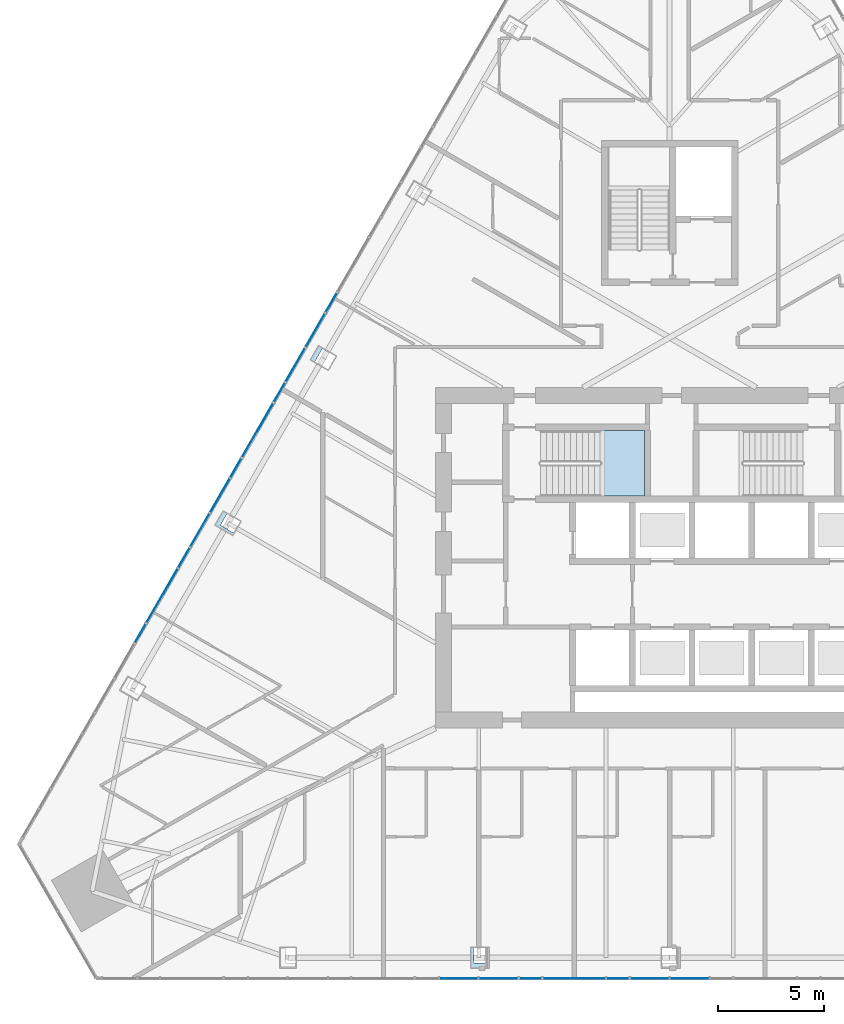
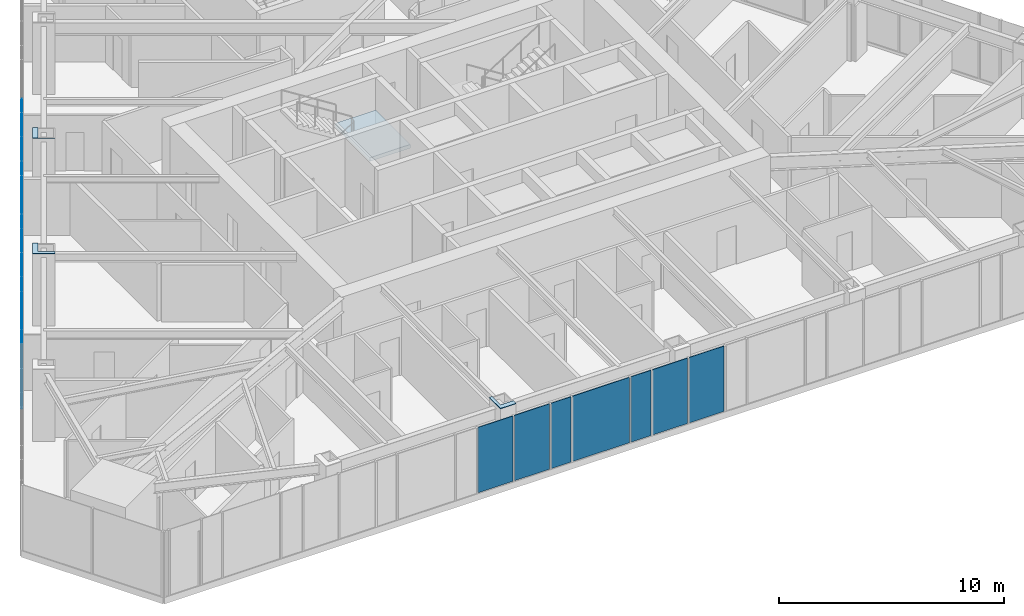
# One storey, part 14 of 26: 21 plates, 1 slab, 3 elements without a shape of their own.
"""IFC4 building model written with IfcOpenShell, lengths in metres."""

from ifc_helpers import new_model, si_unit, direction, frame, origin, place, context, subcontext, project, spatial, polyline, outline, extrude, material, layer, layer_set, type_object, element, aggregate, save


model = new_model("IFC4")

# Units and contexts
model_context = context("Model", 3, precision=1e-05, world=origin(), true_north=direction((0.0, 1.0)))
body_context = subcontext(model_context, "Body", "Model", "MODEL_VIEW")
ifc_project = project(units=[si_unit("LENGTHUNIT", "METRE"), si_unit("AREAUNIT", "SQUARE_METRE"), si_unit("VOLUMEUNIT", "CUBIC_METRE"), si_unit("PLANEANGLEUNIT", "RADIAN"), si_unit("MASSUNIT", "GRAM", prefix="KILO")], contexts=[model_context])

# Site, building, storey
site_placement = place(None, origin())
site = spatial("IfcSite", under=ifc_project, at=site_placement, CompositionType="ELEMENT")
building_placement = place(site_placement, origin())
building = spatial("IfcBuilding", under=site, at=building_placement, Name="Firuza Gate Tower and Library", CompositionType="ELEMENT")
storey_placement = place(building_placement, frame((0.0, 0.0, 175.300048828125)))
storey = spatial("IfcBuildingStorey", under=building, at=storey_placement, Name="L40", CompositionType="ELEMENT", Elevation=175.300048828125)

# Plates
ifc_material_1 = material(Name="Steel S355", Category="steel")
ifc_layer_1 = layer(ifc_material_1, 0.030029296875)
ifc_layer_set_1 = layer_set([ifc_layer_1], Name="Column infill plate 30 Steel S355")
plate_type_1 = type_object("IfcPlateType", Name="Column infill plate 30 Steel S355", PredefinedType="SHEET", material=ifc_layer_set_1)
placement_1 = place(storey_placement, frame((0.0, 0.0, 3.89990234375)))
element("IfcPlate", 1, at=placement_1, inside=storey, type_object=plate_type_1, Name="Infill plate L40:S2", PredefinedType="SHEET", context=body_context, shape_type="SweptSolid", body=[
    extrude(outline(polyline([(66.43798828125, 55.720458984375), (66.43798828125, 55.959716796875), (65.776123046875, 55.959716796875), (65.776123046875, 56.720458984375), (65.63818359375, 56.720458984375), (65.63818359375, 55.720458984375), (66.43798828125, 55.720458984375)])), origin(), (0.0, 0.0, 1.0), 0.030029296875),
])
element("IfcPlate", 2, at=placement_1, inside=storey, type_object=plate_type_1, Name="Infill plate L40:W3", PredefinedType="SHEET", context=body_context, shape_type="SweptSolid", body=[
    extrude(outline(polyline([(58.969482421875, 83.793212890625), (58.969482421875, 83.793212890625), (58.310546875, 84.173828125), (58.710693359375, 84.866455078125), (58.50341796875, 84.986083984375), (58.103515625, 84.293212890625), (58.969482421875, 83.793212890625)])), origin(), (0.0, 0.0, 1.0), 0.030029296875),
])
element("IfcPlate", 3, at=placement_1, inside=storey, type_object=plate_type_1, Name="Infill plate L40:W4", PredefinedType="SHEET", context=body_context, shape_type="SweptSolid", body=[
    extrude(outline(polyline([(54.488525390625, 76.031982421875), (54.5576171875, 76.151611328125), (53.898681640625, 76.531982421875), (54.229736328125, 77.105224609375), (54.0224609375, 77.224853515625), (53.62255859375, 76.531982421875), (54.488525390625, 76.031982421875)])), origin(), (0.0, 0.0, 1.0), 0.030029296875),
])

# Curtain wall, plates
ifc_material_2 = material(Name="Aluminium 6063-T6", Category="aluminium")
ifc_layer_2 = layer(ifc_material_2, 0.14990234375)
ifc_layer_set_2 = layer_set([ifc_layer_2], Name="Unitised curtain wall, hotel")
curtain_wall_type = type_object("IfcCurtainWallType", Name="Unitised curtain wall, hotel", PredefinedType="NOTDEFINED", material=ifc_layer_set_2)
placement_2 = place(storey_placement, origin())
curtain_wall_1 = element("IfcCurtainWall", 4, at=placement_2, inside=storey, type_object=curtain_wall_type, Name="CW2 L40 S face", PredefinedType="NOTDEFINED")
ifc_material_3 = material(Name="Fritted glass", Category="glass")
ifc_layer_3 = layer(ifc_material_3, 0.030029296875)
ifc_layer_set_3 = layer_set([ifc_layer_3], Name="Fritted glass unit, hotel")
plate_type_2 = type_object("IfcPlateType", Name="Fritted glass unit, hotel", PredefinedType="CURTAIN_PANEL", material=ifc_layer_set_3)
plate_4_placement = place(storey_placement, frame((64.199951171875, 55.23046875, 0.14990234375), z_axis=(0.0, -1.0, 0.0), x_axis=(1.0, 0.0, 0.0)))
plate_4 = element("IfcPlate", 5, at=plate_4_placement, type_object=plate_type_2, Name="Glass unit", PredefinedType="CURTAIN_PANEL", context=body_context, shape_type="SweptSolid", body=[
    extrude(outline(polyline([(0.0, 0.0), (1.78369140625, 0.0), (1.78369140625, 3.550048828125), (0.0, 3.550048828125), (0.0, 0.0)])), origin(), (0.0, 0.0, -1.0), 0.030029296875),
])
plate_5_placement = place(storey_placement, frame((66.063720703125, 55.23046875, 0.14990234375), z_axis=(0.0, -1.0, 0.0), x_axis=(1.0, 0.0, 0.0)))
plate_5 = element("IfcPlate", 6, at=plate_5_placement, type_object=plate_type_2, Name="Glass unit", PredefinedType="CURTAIN_PANEL", context=body_context, shape_type="SweptSolid", body=[
    extrude(outline(polyline([(0.0, 0.0), (1.812255859375, 0.0), (1.812255859375, 3.550048828125), (0.0, 3.550048828125), (0.0, 0.0)])), origin(), (0.0, 0.0, -1.0), 0.030029296875),
])
plate_6_placement = place(storey_placement, frame((73.162109375, 55.23046875, 0.14990234375), z_axis=(0.0, -1.0, 0.0), x_axis=(1.0, 0.0, 0.0)))
plate_6 = element("IfcPlate", 7, at=plate_6_placement, type_object=plate_type_2, Name="Glass unit", PredefinedType="CURTAIN_PANEL", context=body_context, shape_type="SweptSolid", body=[
    extrude(outline(polyline([(0.0, 0.0), (1.7978515625, 0.0), (1.7978515625, 3.550048828125), (0.0, 3.550048828125), (0.0, 0.0)])), origin(), (0.0, 0.0, -1.0), 0.030029296875),
])
plate_7_placement = place(storey_placement, frame((75.0400390625, 55.23046875, 0.14990234375), z_axis=(0.0, -1.0, 0.0), x_axis=(1.0, 0.0, 0.0)))
plate_7 = element("IfcPlate", 8, at=plate_7_placement, type_object=plate_type_2, Name="Glass unit", PredefinedType="CURTAIN_PANEL", context=body_context, shape_type="SweptSolid", body=[
    extrude(outline(polyline([(0.0, 0.0), (1.7978515625, 0.0), (1.7978515625, 3.550048828125), (0.0, 3.550048828125), (0.0, 0.0)])), origin(), (0.0, 0.0, -1.0), 0.030029296875),
])

curtain_wall_2 = element("IfcCurtainWall", 9, at=placement_2, inside=storey, type_object=curtain_wall_type, Name="CW2 L40 W face", PredefinedType="NOTDEFINED")
plate_8_placement = place(storey_placement, frame((58.798095703125, 86.4765625, 0.14990234375), z_axis=(-0.866045395139, 0.499965372359, 0.0), x_axis=(-0.499965372359, -0.866045395139, 0.0)))
plate_8 = element("IfcPlate", 10, at=plate_8_placement, type_object=plate_type_2, Name="Glass unit", PredefinedType="CURTAIN_PANEL", context=body_context, shape_type="SweptSolid", body=[
    extrude(outline(polyline([(0.0, 0.0), (1.797976081841815, 0.0), (1.797976081841815, 3.550048828125001), (0.0, 3.550048828125001), (0.0, 0.0)])), origin(), (0.0, 0.0, -1.0), 0.030029296875),
])
plate_9_placement = place(storey_placement, frame((57.859130859375, 84.85009765625, 0.14990234375), z_axis=(-0.866045395139, 0.499965372359, 0.0), x_axis=(-0.499965372359, -0.866045395139, 0.0)))
plate_9 = element("IfcPlate", 11, at=plate_9_placement, type_object=plate_type_2, Name="Glass unit", PredefinedType="CURTAIN_PANEL", context=body_context, shape_type="SweptSolid", body=[
    extrude(outline(polyline([(0.0, 0.0), (1.797976081841815, 0.0), (1.797976081841815, 3.550048828125001), (0.0, 3.550048828125001), (0.0, 0.0)])), origin(), (0.0, 0.0, -1.0), 0.030029296875),
])
plate_10_placement = place(storey_placement, frame((54.317138671875, 78.71533203125, 0.14990234375), z_axis=(-0.866046528967, 0.499963408325, 0.0), x_axis=(-0.499963408325, -0.866046528967, 0.0)))
plate_10 = element("IfcPlate", 12, at=plate_10_placement, type_object=plate_type_2, Name="Glass unit", PredefinedType="CURTAIN_PANEL", context=body_context, shape_type="SweptSolid", body=[
    extrude(outline(polyline([(0.0, 0.0), (1.8126326545315377, 0.0), (1.8126326545315377, 3.550048828125), (0.0, 3.550048828125), (0.0, 0.0)])), origin(), (0.0, 0.0, -1.0), 0.030029296875),
])
plate_11_placement = place(storey_placement, frame((53.37109375, 77.076416015625, 0.14990234375), z_axis=(-0.866019189511, 0.500010763282, 0.0), x_axis=(-0.500010763282, -0.866019189511, 0.0)))
plate_11 = element("IfcPlate", 13, at=plate_11_placement, type_object=plate_type_2, Name="Glass unit", PredefinedType="CURTAIN_PANEL", context=body_context, shape_type="SweptSolid", body=[
    extrude(outline(polyline([(0.0, 0.0), (1.7836530103291977, 0.0), (1.7836530103291977, 3.550048828125), (0.0, 3.550048828125), (0.0, 0.0)])), origin(), (0.0, 0.0, -1.0), 0.030029296875),
])

# Plate
ifc_material_4 = material(Name="Glazed ceramic tile")
ifc_layer_4 = layer(ifc_material_4, 0.030029296875)
ifc_layer_set_4 = layer_set([ifc_layer_4], Name="Opaque ceramic panel, hotel")
plate_type_3 = type_object("IfcPlateType", Name="Opaque ceramic panel, hotel", PredefinedType="CURTAIN_PANEL", material=ifc_layer_set_4)
plate_12_placement = place(storey_placement, frame((67.9560546875, 55.23046875, 0.14990234375), z_axis=(0.0, -1.0, 0.0), x_axis=(1.0, 0.0, 0.0)))
plate_12 = element("IfcPlate", 14, at=plate_12_placement, type_object=plate_type_3, Name="Opaque ceramic panel", PredefinedType="CURTAIN_PANEL", context=body_context, shape_type="SweptSolid", body=[
    extrude(outline(polyline([(0.0, 0.0), (1.019775390625, 0.0), (1.019775390625, 3.550048828125), (0.0, 3.550048828125), (0.0, 0.0)])), origin(), (0.0, 0.0, -1.0), 0.030029296875),
])

plate_13_placement = place(storey_placement, frame((69.0556640625, 55.23046875, 0.14990234375), z_axis=(0.0, -1.0, 0.0), x_axis=(1.0, 0.0, 0.0)))
plate_13 = element("IfcPlate", 15, at=plate_13_placement, type_object=plate_type_3, Name="Opaque ceramic panel", PredefinedType="CURTAIN_PANEL", context=body_context, shape_type="SweptSolid", body=[
    extrude(outline(polyline([(0.0, 0.0), (2.912109375, 0.0), (2.912109375, 3.550048828125), (0.0, 3.550048828125), (0.0, 0.0)])), origin(), (0.0, 0.0, -1.0), 0.030029296875),
])

plate_14_placement = place(storey_placement, frame((72.0478515625, 55.23046875, 0.14990234375), z_axis=(0.0, -1.0, 0.0), x_axis=(1.0, 0.0, 0.0)))
plate_14 = element("IfcPlate", 16, at=plate_14_placement, type_object=plate_type_3, Name="Opaque ceramic panel", PredefinedType="CURTAIN_PANEL", context=body_context, shape_type="SweptSolid", body=[
    extrude(outline(polyline([(0.0, 0.0), (1.0341796875, 0.0), (1.0341796875, 3.550048828125), (0.0, 3.550048828125), (0.0, 0.0)])), origin(), (0.0, 0.0, -1.0), 0.030029296875),
])

aggregate(curtain_wall_1, [plate_4, plate_5, plate_12, plate_13, plate_14, plate_6, plate_7])

plate_15_placement = place(storey_placement, frame((59.355224609375, 87.44140625, 0.14990234375), z_axis=(-0.866055875208, 0.499947218231, 0.0), x_axis=(-0.499947218231, -0.866055875208, 0.0)))
plate_15 = element("IfcPlate", 17, at=plate_15_placement, type_object=plate_type_3, Name="Opaque ceramic panel", PredefinedType="CURTAIN_PANEL", context=body_context, shape_type="SweptSolid", body=[
    extrude(outline(polyline([(0.0, 0.0), (1.0342888706916709, 0.0), (1.0342888706916709, 3.550048828125001), (0.0, 3.550048828125001), (0.0, 0.0)])), origin(), (0.0, 0.0, -1.0), 0.030029296875),
])

plate_16_placement = place(storey_placement, frame((56.920166015625, 83.2236328125, 0.14990234375), z_axis=(-0.865996857859, 0.500049439734, 0.0), x_axis=(-0.500049439734, -0.865996857859, 0.0)))
plate_16 = element("IfcPlate", 18, at=plate_16_placement, type_object=plate_type_3, Name="Opaque ceramic panel", PredefinedType="CURTAIN_PANEL", context=body_context, shape_type="SweptSolid", body=[
    extrude(outline(polyline([(0.0, 0.0), (1.0340774384725424, 0.0), (1.0340774384725424, 3.550048828125001), (0.0, 3.550048828125001), (0.0, 0.0)])), origin(), (0.0, 0.0, -1.0), 0.030029296875),
])

plate_17_placement = place(storey_placement, frame((56.363037109375, 82.2587890625, 0.14990234375), z_axis=(-0.866026430432, 0.49999822179, 0.0), x_axis=(-0.49999822179, -0.866026430432, 0.0)))
plate_17 = element("IfcPlate", 19, at=plate_17_placement, type_object=plate_type_3, Name="Opaque ceramic panel", PredefinedType="CURTAIN_PANEL", context=body_context, shape_type="SweptSolid", body=[
    extrude(outline(polyline([(0.0, 0.0), (2.9121197317183585, 0.0), (2.9121197317183585, 3.550048828125), (0.0, 3.550048828125), (0.0, 0.0)])), origin(), (0.0, 0.0, -1.0), 0.030029296875),
])

plate_18_placement = place(storey_placement, frame((54.866943359375, 79.66748046875, 0.14990234375), z_axis=(-0.866054010271, 0.499950448838, 0.0), x_axis=(-0.499950448838, -0.866054010271, 0.0)))
plate_18 = element("IfcPlate", 20, at=plate_18_placement, type_object=plate_type_3, Name="Opaque ceramic panel", PredefinedType="CURTAIN_PANEL", context=body_context, shape_type="SweptSolid", body=[
    extrude(outline(polyline([(0.0, 0.0), (1.0196322979307544, 0.0), (1.0196322979307544, 3.550048828125), (0.0, 3.550048828125), (0.0, 0.0)])), origin(), (0.0, 0.0, -1.0), 0.030029296875),
])

plate_19_placement = place(storey_placement, frame((52.439208984375, 75.46240234375, 0.14990234375), z_axis=(-0.866042106815, 0.499971068387, 0.0), x_axis=(-0.499971068387, -0.866042106815, 0.0)))
plate_19 = element("IfcPlate", 21, at=plate_19_placement, type_object=plate_type_3, Name="Opaque ceramic panel", PredefinedType="CURTAIN_PANEL", context=body_context, shape_type="SweptSolid", body=[
    extrude(outline(polyline([(0.0, 0.0), (1.0484005075855913, 0.0), (1.0484005075855913, 3.550048828125), (0.0, 3.550048828125), (0.0, 0.0)])), origin(), (0.0, 0.0, -1.0), 0.030029296875),
])

plate_20_placement = place(storey_placement, frame((51.875, 74.485107421875, 0.14990234375), z_axis=(-0.866026430432, 0.49999822179, 0.0), x_axis=(-0.49999822179, -0.866026430432, 0.0)))
plate_20 = element("IfcPlate", 22, at=plate_20_placement, type_object=plate_type_3, Name="Opaque ceramic panel", PredefinedType="CURTAIN_PANEL", context=body_context, shape_type="SweptSolid", body=[
    extrude(outline(polyline([(0.0, 0.0), (2.9121197317183585, 0.0), (2.9121197317183585, 3.550048828125), (0.0, 3.550048828125), (0.0, 0.0)])), origin(), (0.0, 0.0, -1.0), 0.030029296875),
])

plate_21_placement = place(storey_placement, frame((50.37890625, 71.893798828125, 0.14990234375), z_axis=(-0.866007637891, 0.500030770168, 0.0), x_axis=(-0.500030770168, -0.866007637891, 0.0)))
plate_21 = element("IfcPlate", 23, at=plate_21_placement, type_object=plate_type_3, Name="Opaque ceramic panel", PredefinedType="CURTAIN_PANEL", context=body_context, shape_type="SweptSolid", body=[
    extrude(outline(polyline([(0.0, 0.0), (1.0053092266832258, 0.0), (1.0053092266832258, 3.550048828125), (0.0, 3.550048828125), (0.0, 0.0)])), origin(), (0.0, 0.0, -1.0), 0.030029296875),
])

aggregate(curtain_wall_2, [plate_15, plate_8, plate_9, plate_16, plate_17, plate_18, plate_10, plate_11, plate_19, plate_20, plate_21])

# Stair, slab
ifc_material_5 = material(Name="Concrete C35/45", Category="concrete")
stair_type = type_object("IfcStairType", Name="Exit stair ST7", PredefinedType="HALF_TURN_STAIR", material=ifc_material_5)
stair = element("IfcStair", 24, at=placement_2, inside=storey, type_object=stair_type, Name="L40 Stair ST1", PredefinedType="HALF_TURN_STAIR")
ifc_material_6 = material(Name="Concrete C35/45", Category="concrete")
ifc_layer_5 = layer(ifc_material_6, 0.199951171875)
ifc_layer_set_5 = layer_set([ifc_layer_5], Name="Stair landing 200")
slab_type = type_object("IfcSlabType", Name="Stair landing 200", PredefinedType="LANDING", material=ifc_layer_set_5)
slab_placement = place(storey_placement, frame((0.0, 0.0, 1.75)))
slab = element("IfcSlab", 25, at=slab_placement, type_object=slab_type, Name="ST1 landing 1", PredefinedType="LANDING", context=body_context, shape_type="SweptSolid", body=[
    extrude(outline(polyline([(71.739990234375, 77.89990234375), (73.81005859375, 77.89990234375), (73.81005859375, 80.97998046875), (71.739990234375, 80.97998046875), (71.739990234375, 77.89990234375)])), origin(), (0.0, 0.0, 1.0), 0.199951171875),
])
aggregate(stair, [slab])

save(model, "model.ifc")
